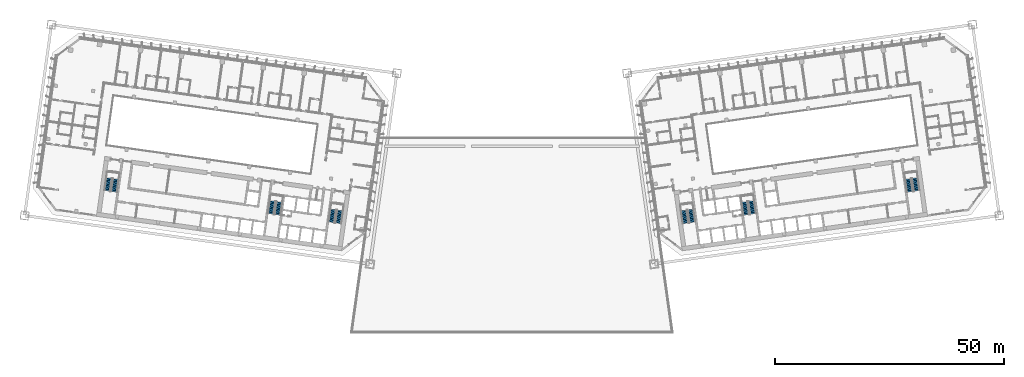
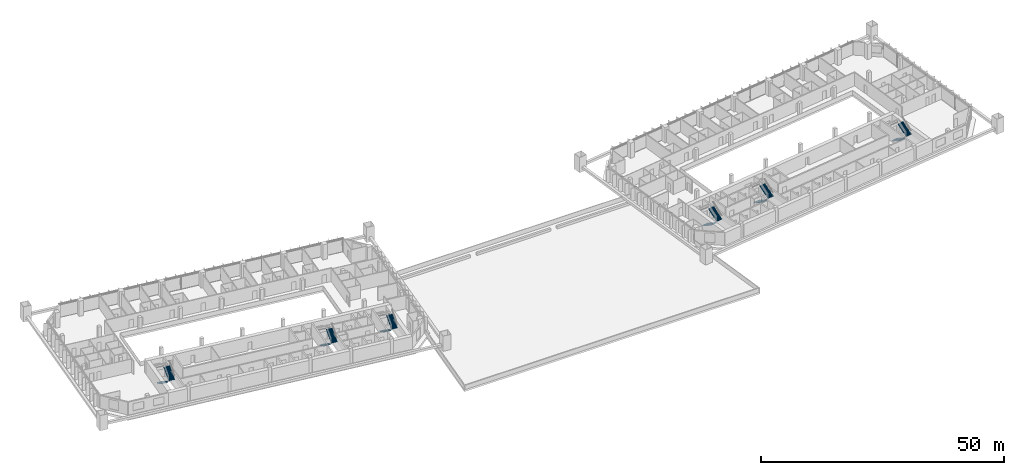
# One storey, part 37 of 46: 12 stair flights, 6 elements without a shape of their own.
"""IFC4 building model written with IfcOpenShell, lengths in metres."""

from ifc_helpers import new_model, si_unit, direction, frame, origin, place, context, subcontext, project, spatial, polyline, outline, extrude, material, type_object, element, aggregate, save


model = new_model("IFC4")

# Units and contexts
model_context = context("Model", 3, precision=1e-05, world=origin(), true_north=direction((0.0, 1.0)))
body_context = subcontext(model_context, "Body", "Model", "MODEL_VIEW")
ifc_project = project(units=[si_unit("LENGTHUNIT", "METRE"), si_unit("AREAUNIT", "SQUARE_METRE"), si_unit("VOLUMEUNIT", "CUBIC_METRE"), si_unit("PLANEANGLEUNIT", "RADIAN"), si_unit("MASSUNIT", "GRAM", prefix="KILO")], contexts=[model_context])

# Site, building, storey
site_placement = place(None, origin())
site = spatial("IfcSite", under=ifc_project, at=site_placement, CompositionType="ELEMENT")
building_placement = place(site_placement, origin())
building = spatial("IfcBuilding", under=site, at=building_placement, Name="Mirante Cascada Hotel Towers", CompositionType="ELEMENT")
storey_placement = place(building_placement, frame((0.0, 0.0, 39.5)))
storey = spatial("IfcBuildingStorey", under=building, at=storey_placement, Name="L06", CompositionType="ELEMENT", Elevation=39.5)

# Stair, stair flights
ifc_material_1 = material(Name="Concrete C35/45", Category="concrete")
stair_type = type_object("IfcStairType", Name="Exit stair half-turn 1350 concrete C35/45", PredefinedType="HALF_TURN_STAIR", material=ifc_material_1)
stair_1_placement = place(storey_placement, origin())
stair_1 = element("IfcStair", 1, at=stair_1_placement, inside=storey, type_object=stair_type, Name="L06 Exit stair A", PredefinedType="HALF_TURN_STAIR")
ifc_material_2 = material(Name="Concrete C35/45", Category="concrete")
stair_flight_type = type_object("IfcStairFlightType", Name="Exit stair flight 1350 concrete C35/45", PredefinedType="STRAIGHT", material=ifc_material_2)
stair_flight_1_placement = place(storey_placement, frame((-38.9417, -11.195, 0.0), z_axis=(0.0, 0.0, 1.0), x_axis=(-0.1391731, -0.9902681, 0.0)))
stair_flight_1 = element("IfcStairFlight", 2, at=stair_flight_1_placement, type_object=stair_flight_type, Name="ST1-A flight 1", NumberOfRisers=11, NumberOfTreads=10, PredefinedType="STRAIGHT", RiserHeight=0.172727273, TreadLength=0.28, context=body_context, shape_type="SweptSolid", body=[
    extrude(outline(polyline([(0.0, 0.0), (0.0, 0.1727), (0.28, 0.1727), (0.28, 0.3455), (0.56, 0.3455), (0.56, 0.5182), (0.84, 0.5182), (0.84, 0.6909), (1.12, 0.6909), (1.12, 0.8636), (1.4, 0.8636), (1.4, 1.0364), (1.68, 1.0364), (1.68, 1.2091), (1.96, 1.2091), (1.96, 1.3818), (2.24, 1.3818), (2.24, 1.5545), (2.52, 1.5545), (2.52, 1.7273), (2.8, 1.7273), (2.8, 1.9), (2.8, 1.551), (0.2857, 0.0), (0.0, 0.0)])), frame((0.0, 0.675, 0.0), z_axis=(0.0, -1.0, 0.0), x_axis=(1.0, 0.0, 0.0)), (0.0, 0.0, 1.0), 1.35),
])
stair_flight_2_placement = place(storey_placement, frame((-37.846, -14.1765, 1.9), z_axis=(0.0, 0.0, 1.0), x_axis=(0.1391731, 0.9902681, 0.0)))
stair_flight_2 = element("IfcStairFlight", 3, at=stair_flight_2_placement, type_object=stair_flight_type, Name="ST1-A flight 2", NumberOfRisers=11, NumberOfTreads=10, PredefinedType="STRAIGHT", RiserHeight=0.172727273, TreadLength=0.28, context=body_context, shape_type="SweptSolid", body=[
    extrude(outline(polyline([(0.0, 0.0), (0.0, 0.1727), (0.28, 0.1727), (0.28, 0.3455), (0.56, 0.3455), (0.56, 0.5182), (0.84, 0.5182), (0.84, 0.6909), (1.12, 0.6909), (1.12, 0.8636), (1.4, 0.8636), (1.4, 1.0364), (1.68, 1.0364), (1.68, 1.2091), (1.96, 1.2091), (1.96, 1.3818), (2.24, 1.3818), (2.24, 1.5545), (2.52, 1.5545), (2.52, 1.7273), (2.8, 1.7273), (2.8, 1.9), (2.8, 1.551), (0.2857, 0.0), (0.0, 0.0)])), frame((0.0, 0.675, 0.0), z_axis=(0.0, -1.0, 0.0), x_axis=(1.0, 0.0, 0.0)), (0.0, 0.0, 1.0), 1.35),
])
aggregate(stair_1, [stair_flight_1, stair_flight_2])

stair_2_placement = place(storey_placement, origin())
stair_2 = element("IfcStair", 4, at=stair_2_placement, inside=storey, type_object=stair_type, Name="L06 Exit stair B", PredefinedType="HALF_TURN_STAIR")
stair_flight_3_placement = place(storey_placement, frame((-52.1618, -9.3371, 0.0), z_axis=(0.0, 0.0, 1.0), x_axis=(-0.1391731, -0.9902681, 0.0)))
stair_flight_3 = element("IfcStairFlight", 5, at=stair_flight_3_placement, type_object=stair_flight_type, Name="ST1-B flight 1", NumberOfRisers=11, NumberOfTreads=10, PredefinedType="STRAIGHT", RiserHeight=0.172727273, TreadLength=0.28, context=body_context, shape_type="SweptSolid", body=[
    extrude(outline(polyline([(0.0, 0.0), (0.0, 0.1727), (0.28, 0.1727), (0.28, 0.3455), (0.56, 0.3455), (0.56, 0.5182), (0.84, 0.5182), (0.84, 0.6909), (1.12, 0.6909), (1.12, 0.8636), (1.4, 0.8636), (1.4, 1.0364), (1.68, 1.0364), (1.68, 1.2091), (1.96, 1.2091), (1.96, 1.3818), (2.24, 1.3818), (2.24, 1.5545), (2.52, 1.5545), (2.52, 1.7273), (2.8, 1.7273), (2.8, 1.9), (2.8, 1.551), (0.2857, 0.0), (0.0, 0.0)])), frame((0.0, 0.675, 0.0), z_axis=(0.0, -1.0, 0.0), x_axis=(1.0, 0.0, 0.0)), (0.0, 0.0, 1.0), 1.35),
])
stair_flight_4_placement = place(storey_placement, frame((-51.0661, -12.3186, 1.9), z_axis=(0.0, 0.0, 1.0), x_axis=(0.1391731, 0.9902681, 0.0)))
stair_flight_4 = element("IfcStairFlight", 6, at=stair_flight_4_placement, type_object=stair_flight_type, Name="ST1-B flight 2", NumberOfRisers=11, NumberOfTreads=10, PredefinedType="STRAIGHT", RiserHeight=0.172727273, TreadLength=0.28, context=body_context, shape_type="SweptSolid", body=[
    extrude(outline(polyline([(0.0, 0.0), (0.0, 0.1727), (0.28, 0.1727), (0.28, 0.3455), (0.56, 0.3455), (0.56, 0.5182), (0.84, 0.5182), (0.84, 0.6909), (1.12, 0.6909), (1.12, 0.8636), (1.4, 0.8636), (1.4, 1.0364), (1.68, 1.0364), (1.68, 1.2091), (1.96, 1.2091), (1.96, 1.3818), (2.24, 1.3818), (2.24, 1.5545), (2.52, 1.5545), (2.52, 1.7273), (2.8, 1.7273), (2.8, 1.9), (2.8, 1.551), (0.2857, 0.0), (0.0, 0.0)])), frame((0.0, 0.675, 0.0), z_axis=(0.0, -1.0, 0.0), x_axis=(1.0, 0.0, 0.0)), (0.0, 0.0, 1.0), 1.35),
])
aggregate(stair_2, [stair_flight_3, stair_flight_4])

stair_3_placement = place(storey_placement, origin())
stair_3 = element("IfcStair", 7, at=stair_3_placement, inside=storey, type_object=stair_type, Name="L06 Exit stair C", PredefinedType="HALF_TURN_STAIR")
stair_flight_5_placement = place(storey_placement, frame((-87.8115, -4.3268, 0.0), z_axis=(0.0, 0.0, 1.0), x_axis=(-0.1391731, -0.9902681, 0.0)))
stair_flight_5 = element("IfcStairFlight", 8, at=stair_flight_5_placement, type_object=stair_flight_type, Name="ST1-C flight 1", NumberOfRisers=11, NumberOfTreads=10, PredefinedType="STRAIGHT", RiserHeight=0.172727273, TreadLength=0.28, context=body_context, shape_type="SweptSolid", body=[
    extrude(outline(polyline([(0.0, 0.0), (0.0, 0.1727), (0.28, 0.1727), (0.28, 0.3455), (0.56, 0.3455), (0.56, 0.5182), (0.84, 0.5182), (0.84, 0.6909), (1.12, 0.6909), (1.12, 0.8636), (1.4, 0.8636), (1.4, 1.0364), (1.68, 1.0364), (1.68, 1.2091), (1.96, 1.2091), (1.96, 1.3818), (2.24, 1.3818), (2.24, 1.5545), (2.52, 1.5545), (2.52, 1.7273), (2.8, 1.7273), (2.8, 1.9), (2.8, 1.551), (0.2857, 0.0), (0.0, 0.0)])), frame((0.0, 0.675, 0.0), z_axis=(0.0, -1.0, 0.0), x_axis=(1.0, 0.0, 0.0)), (0.0, 0.0, 1.0), 1.35),
])
stair_flight_6_placement = place(storey_placement, frame((-86.7157, -7.3084, 1.9), z_axis=(0.0, 0.0, 1.0), x_axis=(0.1391731, 0.9902681, 0.0)))
stair_flight_6 = element("IfcStairFlight", 9, at=stair_flight_6_placement, type_object=stair_flight_type, Name="ST1-C flight 2", NumberOfRisers=11, NumberOfTreads=10, PredefinedType="STRAIGHT", RiserHeight=0.172727273, TreadLength=0.28, context=body_context, shape_type="SweptSolid", body=[
    extrude(outline(polyline([(0.0, 0.0), (0.0, 0.1727), (0.28, 0.1727), (0.28, 0.3455), (0.56, 0.3455), (0.56, 0.5182), (0.84, 0.5182), (0.84, 0.6909), (1.12, 0.6909), (1.12, 0.8636), (1.4, 0.8636), (1.4, 1.0364), (1.68, 1.0364), (1.68, 1.2091), (1.96, 1.2091), (1.96, 1.3818), (2.24, 1.3818), (2.24, 1.5545), (2.52, 1.5545), (2.52, 1.7273), (2.8, 1.7273), (2.8, 1.9), (2.8, 1.551), (0.2857, 0.0), (0.0, 0.0)])), frame((0.0, 0.675, 0.0), z_axis=(0.0, -1.0, 0.0), x_axis=(1.0, 0.0, 0.0)), (0.0, 0.0, 1.0), 1.35),
])
aggregate(stair_3, [stair_flight_5, stair_flight_6])

stair_4_placement = place(storey_placement, origin())
stair_4 = element("IfcStair", 10, at=stair_4_placement, inside=storey, type_object=stair_type, Name="L06 Exit stair A", PredefinedType="HALF_TURN_STAIR")
stair_flight_7_placement = place(storey_placement, frame((37.4563, -11.4038, 0.0), z_axis=(0.0, 0.0, 1.0), x_axis=(0.1391731, -0.9902681, 0.0)))
stair_flight_7 = element("IfcStairFlight", 11, at=stair_flight_7_placement, type_object=stair_flight_type, Name="ST2-A flight 1", NumberOfRisers=11, NumberOfTreads=10, PredefinedType="STRAIGHT", RiserHeight=0.172727273, TreadLength=0.28, context=body_context, shape_type="SweptSolid", body=[
    extrude(outline(polyline([(0.0, 0.0), (0.0, 0.1727), (0.28, 0.1727), (0.28, 0.3455), (0.56, 0.3455), (0.56, 0.5182), (0.84, 0.5182), (0.84, 0.6909), (1.12, 0.6909), (1.12, 0.8636), (1.4, 0.8636), (1.4, 1.0364), (1.68, 1.0364), (1.68, 1.2091), (1.96, 1.2091), (1.96, 1.3818), (2.24, 1.3818), (2.24, 1.5545), (2.52, 1.5545), (2.52, 1.7273), (2.8, 1.7273), (2.8, 1.9), (2.8, 1.551), (0.2857, 0.0), (0.0, 0.0)])), frame((0.0, 0.675, 0.0), z_axis=(0.0, -1.0, 0.0), x_axis=(1.0, 0.0, 0.0)), (0.0, 0.0, 1.0), 1.35),
])
stair_flight_8_placement = place(storey_placement, frame((39.3314, -13.9678, 1.9), z_axis=(0.0, 0.0, 1.0), x_axis=(-0.1391731, 0.9902681, 0.0)))
stair_flight_8 = element("IfcStairFlight", 12, at=stair_flight_8_placement, type_object=stair_flight_type, Name="ST2-A flight 2", NumberOfRisers=11, NumberOfTreads=10, PredefinedType="STRAIGHT", RiserHeight=0.172727273, TreadLength=0.28, context=body_context, shape_type="SweptSolid", body=[
    extrude(outline(polyline([(0.0, 0.0), (0.0, 0.1727), (0.28, 0.1727), (0.28, 0.3455), (0.56, 0.3455), (0.56, 0.5182), (0.84, 0.5182), (0.84, 0.6909), (1.12, 0.6909), (1.12, 0.8636), (1.4, 0.8636), (1.4, 1.0364), (1.68, 1.0364), (1.68, 1.2091), (1.96, 1.2091), (1.96, 1.3818), (2.24, 1.3818), (2.24, 1.5545), (2.52, 1.5545), (2.52, 1.7273), (2.8, 1.7273), (2.8, 1.9), (2.8, 1.551), (0.2857, 0.0), (0.0, 0.0)])), frame((0.0, 0.675, 0.0), z_axis=(0.0, -1.0, 0.0), x_axis=(1.0, 0.0, 0.0)), (0.0, 0.0, 1.0), 1.35),
])
aggregate(stair_4, [stair_flight_7, stair_flight_8])

stair_5_placement = place(storey_placement, origin())
stair_5 = element("IfcStair", 13, at=stair_5_placement, inside=storey, type_object=stair_type, Name="L06 Exit stair B", PredefinedType="HALF_TURN_STAIR")
stair_flight_9_placement = place(storey_placement, frame((50.6764, -9.5458, 0.0), z_axis=(0.0, 0.0, 1.0), x_axis=(0.1391731, -0.9902681, 0.0)))
stair_flight_9 = element("IfcStairFlight", 14, at=stair_flight_9_placement, type_object=stair_flight_type, Name="ST2-B flight 1", NumberOfRisers=11, NumberOfTreads=10, PredefinedType="STRAIGHT", RiserHeight=0.172727273, TreadLength=0.28, context=body_context, shape_type="SweptSolid", body=[
    extrude(outline(polyline([(0.0, 0.0), (0.0, 0.1727), (0.28, 0.1727), (0.28, 0.3455), (0.56, 0.3455), (0.56, 0.5182), (0.84, 0.5182), (0.84, 0.6909), (1.12, 0.6909), (1.12, 0.8636), (1.4, 0.8636), (1.4, 1.0364), (1.68, 1.0364), (1.68, 1.2091), (1.96, 1.2091), (1.96, 1.3818), (2.24, 1.3818), (2.24, 1.5545), (2.52, 1.5545), (2.52, 1.7273), (2.8, 1.7273), (2.8, 1.9), (2.8, 1.551), (0.2857, 0.0), (0.0, 0.0)])), frame((0.0, 0.675, 0.0), z_axis=(0.0, -1.0, 0.0), x_axis=(1.0, 0.0, 0.0)), (0.0, 0.0, 1.0), 1.35),
])
stair_flight_10_placement = place(storey_placement, frame((52.5515, -12.1098, 1.9), z_axis=(0.0, 0.0, 1.0), x_axis=(-0.1391731, 0.9902681, 0.0)))
stair_flight_10 = element("IfcStairFlight", 15, at=stair_flight_10_placement, type_object=stair_flight_type, Name="ST2-B flight 2", NumberOfRisers=11, NumberOfTreads=10, PredefinedType="STRAIGHT", RiserHeight=0.172727273, TreadLength=0.28, context=body_context, shape_type="SweptSolid", body=[
    extrude(outline(polyline([(0.0, 0.0), (0.0, 0.1727), (0.28, 0.1727), (0.28, 0.3455), (0.56, 0.3455), (0.56, 0.5182), (0.84, 0.5182), (0.84, 0.6909), (1.12, 0.6909), (1.12, 0.8636), (1.4, 0.8636), (1.4, 1.0364), (1.68, 1.0364), (1.68, 1.2091), (1.96, 1.2091), (1.96, 1.3818), (2.24, 1.3818), (2.24, 1.5545), (2.52, 1.5545), (2.52, 1.7273), (2.8, 1.7273), (2.8, 1.9), (2.8, 1.551), (0.2857, 0.0), (0.0, 0.0)])), frame((0.0, 0.675, 0.0), z_axis=(0.0, -1.0, 0.0), x_axis=(1.0, 0.0, 0.0)), (0.0, 0.0, 1.0), 1.35),
])
aggregate(stair_5, [stair_flight_9, stair_flight_10])

stair_6_placement = place(storey_placement, origin())
stair_6 = element("IfcStair", 16, at=stair_6_placement, inside=storey, type_object=stair_type, Name="L06 Exit stair C", PredefinedType="HALF_TURN_STAIR")
stair_flight_11_placement = place(storey_placement, frame((86.326, -4.5356, 0.0), z_axis=(0.0, 0.0, 1.0), x_axis=(0.1391731, -0.9902681, 0.0)))
stair_flight_11 = element("IfcStairFlight", 17, at=stair_flight_11_placement, type_object=stair_flight_type, Name="ST2-C flight 1", NumberOfRisers=11, NumberOfTreads=10, PredefinedType="STRAIGHT", RiserHeight=0.172727273, TreadLength=0.28, context=body_context, shape_type="SweptSolid", body=[
    extrude(outline(polyline([(0.0, 0.0), (0.0, 0.1727), (0.28, 0.1727), (0.28, 0.3455), (0.56, 0.3455), (0.56, 0.5182), (0.84, 0.5182), (0.84, 0.6909), (1.12, 0.6909), (1.12, 0.8636), (1.4, 0.8636), (1.4, 1.0364), (1.68, 1.0364), (1.68, 1.2091), (1.96, 1.2091), (1.96, 1.3818), (2.24, 1.3818), (2.24, 1.5545), (2.52, 1.5545), (2.52, 1.7273), (2.8, 1.7273), (2.8, 1.9), (2.8, 1.551), (0.2857, 0.0), (0.0, 0.0)])), frame((0.0, 0.675, 0.0), z_axis=(0.0, -1.0, 0.0), x_axis=(1.0, 0.0, 0.0)), (0.0, 0.0, 1.0), 1.35),
])
stair_flight_12_placement = place(storey_placement, frame((88.2011, -7.0996, 1.9), z_axis=(0.0, 0.0, 1.0), x_axis=(-0.1391731, 0.9902681, 0.0)))
stair_flight_12 = element("IfcStairFlight", 18, at=stair_flight_12_placement, type_object=stair_flight_type, Name="ST2-C flight 2", NumberOfRisers=11, NumberOfTreads=10, PredefinedType="STRAIGHT", RiserHeight=0.172727273, TreadLength=0.28, context=body_context, shape_type="SweptSolid", body=[
    extrude(outline(polyline([(0.0, 0.0), (0.0, 0.1727), (0.28, 0.1727), (0.28, 0.3455), (0.56, 0.3455), (0.56, 0.5182), (0.84, 0.5182), (0.84, 0.6909), (1.12, 0.6909), (1.12, 0.8636), (1.4, 0.8636), (1.4, 1.0364), (1.68, 1.0364), (1.68, 1.2091), (1.96, 1.2091), (1.96, 1.3818), (2.24, 1.3818), (2.24, 1.5545), (2.52, 1.5545), (2.52, 1.7273), (2.8, 1.7273), (2.8, 1.9), (2.8, 1.551), (0.2857, 0.0), (0.0, 0.0)])), frame((0.0, 0.675, 0.0), z_axis=(0.0, -1.0, 0.0), x_axis=(1.0, 0.0, 0.0)), (0.0, 0.0, 1.0), 1.35),
])
aggregate(stair_6, [stair_flight_11, stair_flight_12])

save(model, "model.ifc")
